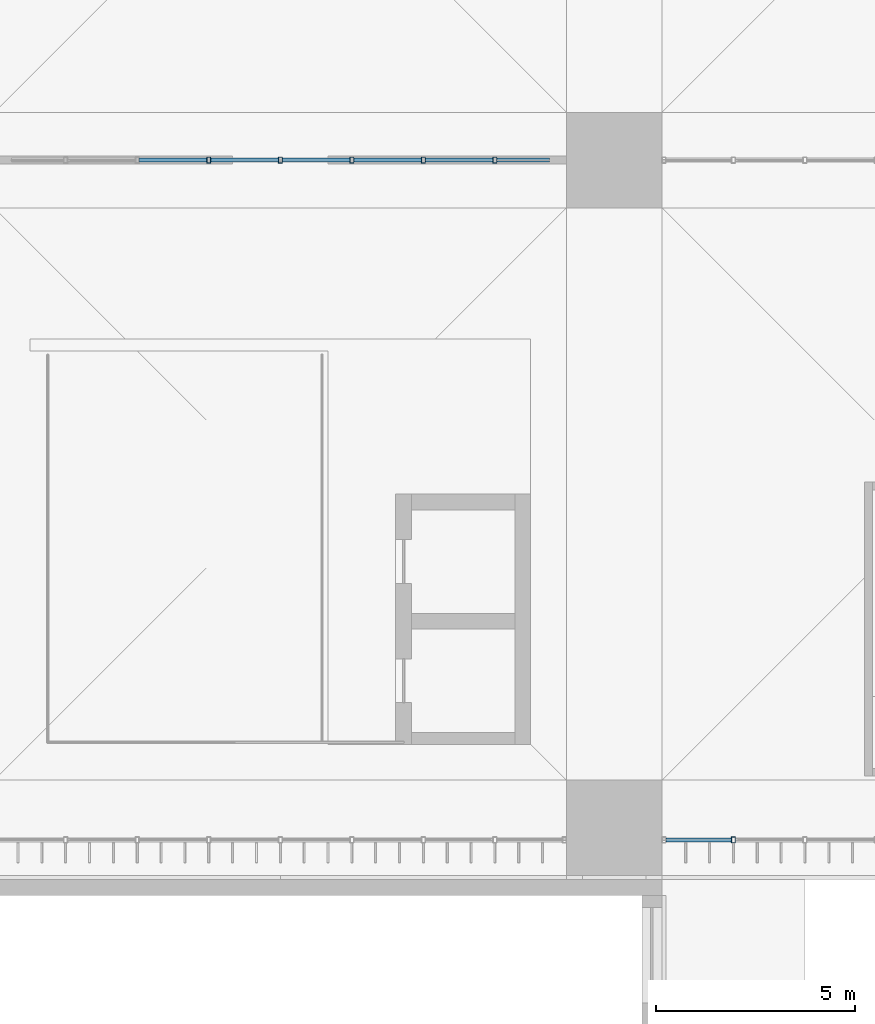
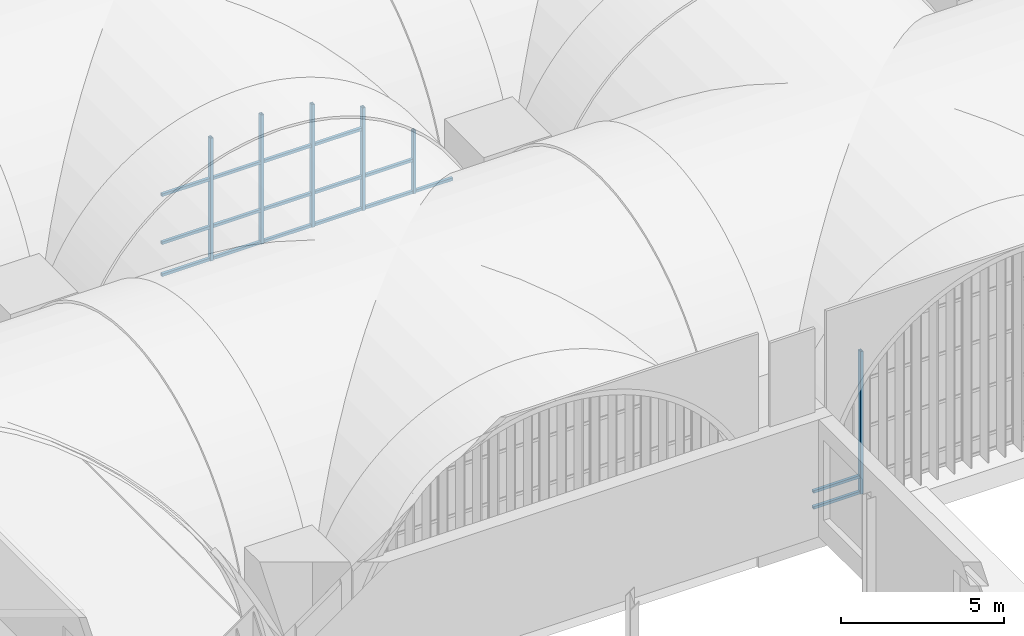
# One storey, part 34 of 169: 23 members, 2 elements without a shape of their own.
"""IFC4 building model written with IfcOpenShell, lengths in metres."""

from ifc_helpers import new_model, si_unit, direction, frame, origin, origin_2d, place, context, subcontext, project, spatial, hollow_rectangle, extrude, material, layer, layer_set, material_profile, profile_set, type_object, element, aggregate, save


model = new_model("IFC4")

# Units and contexts
model_context = context("Model", 3, precision=1e-05, world=origin(), true_north=direction((0.0, 1.0)))
body_context = subcontext(model_context, "Body", "Model", "MODEL_VIEW")
ifc_project = project(units=[si_unit("LENGTHUNIT", "METRE"), si_unit("AREAUNIT", "SQUARE_METRE"), si_unit("VOLUMEUNIT", "CUBIC_METRE"), si_unit("PLANEANGLEUNIT", "RADIAN"), si_unit("MASSUNIT", "GRAM", prefix="KILO")], contexts=[model_context])

# Site, building, storey
site_placement = place(None, origin())
site = spatial("IfcSite", under=ifc_project, at=site_placement, CompositionType="ELEMENT")
building_placement = place(site_placement, origin())
building = spatial("IfcBuilding", under=site, at=building_placement, Name="Verrick Yard Athletic Hall", CompositionType="ELEMENT")
storey_placement = place(building_placement, frame((0.0, 0.0, 4.39990234375)))
storey = spatial("IfcBuildingStorey", under=building, at=storey_placement, Name="L01", CompositionType="ELEMENT", Elevation=4.39990234375)

# Curtain wall, member
ifc_material_1 = material(Name="Aluminium and glass curtain wall", Category="aluminium")
ifc_layer_1 = layer(ifc_material_1, 0.14990234375)
ifc_layer_set_1 = layer_set([ifc_layer_1], Name="Arcade glazing arch")
curtain_wall_type_1 = type_object("IfcCurtainWallType", Name="Arcade glazing arch", PredefinedType="NOTDEFINED", material=ifc_layer_set_1)
curtain_wall_1_placement = place(storey_placement, origin())
curtain_wall_1 = element("IfcCurtainWall", 1, at=curtain_wall_1_placement, inside=storey, type_object=curtain_wall_type_1, Name="Arcade glazing S5", PredefinedType="NOTDEFINED")
ifc_material_2 = material(Name="Structural steel HSS Class C 350W (CSA G40.20/G40.21)", Category="steel")
ifc_material_profile_1 = material_profile(ifc_material_2, hollow_rectangle(XDim=0.1015625, YDim=0.15234375, WallThickness=0.008056640625, at=origin_2d()), Name="HSS152x102x7.9")
ifc_profile_set_1 = profile_set([ifc_material_profile_1], Name="Structural steel HSS Class C 350W (CSA G40.20/G40.21)")
member_type_1 = type_object("IfcMemberType", Name="Curtain wall mullion HSS152x102x7.9", PredefinedType="MULLION", material=ifc_profile_set_1)
member_1_placement = place(storey_placement, frame((110.199951171875, 18.89990234375, 0.0), z_axis=(0.0, 0.0, 1.0), x_axis=(1.0, 0.0, 0.0)))
member_1 = element("IfcMember", 2, at=member_1_placement, type_object=member_type_1, Name="Arcade glazing S5 mullion 2", PredefinedType="MULLION", context=body_context, shape_type="SweptSolid", body=[
    extrude(hollow_rectangle(XDim=0.1015625, YDim=0.15234375, WallThickness=0.008056640625, at=origin_2d()), origin(), (0.0, 0.0, 1.0), 5.351806640625),
])

# Curtain wall, members
ifc_layer_2 = layer(ifc_material_1, 0.14990234375)
ifc_layer_set_2 = layer_set([ifc_layer_2], Name="Concourse door screen arch")
curtain_wall_type_2 = type_object("IfcCurtainWallType", Name="Concourse door screen arch", PredefinedType="NOTDEFINED", material=ifc_layer_set_2)
curtain_wall_2_placement = place(storey_placement, origin())
curtain_wall_2 = element("IfcCurtainWall", 3, at=curtain_wall_2_placement, inside=storey, type_object=curtain_wall_type_2, Name="Concourse screen 4", PredefinedType="NOTDEFINED")
member_2_placement = place(storey_placement, frame((97.0, 36.0, 3.0), z_axis=(0.0, 0.0, 1.0), x_axis=(1.0, 0.0, 0.0)))
member_2 = element("IfcMember", 4, at=member_2_placement, type_object=member_type_1, Name="Concourse screen 4 mullion 3", PredefinedType="MULLION", context=body_context, shape_type="SweptSolid", body=[
    extrude(hollow_rectangle(XDim=0.1015625, YDim=0.15234375, WallThickness=0.008056640625, at=origin_2d()), origin(), (0.0, 0.0, 1.0), 4.607666015625),
])
member_3_placement = place(storey_placement, frame((98.800048828125, 36.0, 3.0), z_axis=(0.0, 0.0, 1.0), x_axis=(1.0, 0.0, 0.0)))
member_3 = element("IfcMember", 5, at=member_3_placement, type_object=member_type_1, Name="Concourse screen 4 mullion 4", PredefinedType="MULLION", context=body_context, shape_type="SweptSolid", body=[
    extrude(hollow_rectangle(XDim=0.1015625, YDim=0.15234375, WallThickness=0.008056640625, at=origin_2d()), origin(), (0.0, 0.0, 1.0), 4.8486328125),
])
member_4_placement = place(storey_placement, frame((100.60009765625, 36.0, 3.0), z_axis=(0.0, 0.0, 1.0), x_axis=(1.0, 0.0, 0.0)))
member_4 = element("IfcMember", 6, at=member_4_placement, type_object=member_type_1, Name="Concourse screen 4 mullion 5", PredefinedType="MULLION", context=body_context, shape_type="SweptSolid", body=[
    extrude(hollow_rectangle(XDim=0.1015625, YDim=0.15234375, WallThickness=0.008056640625, at=origin_2d()), origin(), (0.0, 0.0, 1.0), 4.607666015625),
])
member_5_placement = place(storey_placement, frame((102.39990234375, 36.0, 3.0), z_axis=(0.0, 0.0, 1.0), x_axis=(1.0, 0.0, 0.0)))
member_5 = element("IfcMember", 7, at=member_5_placement, type_object=member_type_1, Name="Concourse screen 4 mullion 6", PredefinedType="MULLION", context=body_context, shape_type="SweptSolid", body=[
    extrude(hollow_rectangle(XDim=0.1015625, YDim=0.15234375, WallThickness=0.008056640625, at=origin_2d()), origin(), (0.0, 0.0, 1.0), 3.8544921875),
])
member_6_placement = place(storey_placement, frame((104.199951171875, 36.0, 3.0), z_axis=(0.0, 0.0, 1.0), x_axis=(1.0, 0.0, 0.0)))
member_6 = element("IfcMember", 8, at=member_6_placement, type_object=member_type_1, Name="Concourse screen 4 mullion 7", PredefinedType="MULLION", context=body_context, shape_type="SweptSolid", body=[
    extrude(hollow_rectangle(XDim=0.1015625, YDim=0.15234375, WallThickness=0.008056640625, at=origin_2d()), origin(), (0.0, 0.0, 1.0), 2.351806640625),
])

# Member
ifc_material_profile_2 = material_profile(ifc_material_2, hollow_rectangle(XDim=0.1015625, YDim=0.1015625, WallThickness=0.00634765625, at=origin_2d()), Name="HSS102x102x6.4")
ifc_profile_set_2 = profile_set([ifc_material_profile_2], Name="Structural steel HSS Class C 350W (CSA G40.20/G40.21)")
member_type_2 = type_object("IfcMemberType", Name="Curtain wall transom HSS102x102x6.4", PredefinedType="USERDEFINED", material=ifc_profile_set_2)
member_7_placement = place(storey_placement, frame((108.502197265625, 18.89990234375, 0.05078125), z_axis=(1.0, 0.0, 0.0), x_axis=(0.0, 1.0, 0.0)))
member_7 = element("IfcMember", 9, at=member_7_placement, type_object=member_type_2, Name="Arcade glazing S5 transom 1", ObjectType="TRANSOM", PredefinedType="USERDEFINED", context=body_context, shape_type="SweptSolid", body=[
    extrude(hollow_rectangle(XDim=0.1015625, YDim=0.1015625, WallThickness=0.00634765625, at=origin_2d()), origin(), (0.0, 0.0, 1.0), 1.64697265625),
])

member_8_placement = place(storey_placement, frame((108.502197265625, 18.89990234375, 0.650146484375), z_axis=(1.0, 0.0, 0.0), x_axis=(0.0, 1.0, 0.0)))
member_8 = element("IfcMember", 10, at=member_8_placement, type_object=member_type_2, Name="Arcade glazing S5 transom 2", ObjectType="TRANSOM", PredefinedType="USERDEFINED", context=body_context, shape_type="SweptSolid", body=[
    extrude(hollow_rectangle(XDim=0.1015625, YDim=0.1015625, WallThickness=0.00634765625, at=origin_2d()), origin(), (0.0, 0.0, 1.0), 1.64697265625),
])

aggregate(curtain_wall_1, [member_1, member_7, member_8])

member_9_placement = place(storey_placement, frame((95.250732421875, 36.0, 3.05078125), z_axis=(1.0, 0.0, 0.0), x_axis=(0.0, 1.0, 0.0)))
member_9 = element("IfcMember", 11, at=member_9_placement, type_object=member_type_2, Name="Concourse screen 4 transom 4", ObjectType="TRANSOM", PredefinedType="USERDEFINED", context=body_context, shape_type="SweptSolid", body=[
    extrude(hollow_rectangle(XDim=0.1015625, YDim=0.1015625, WallThickness=0.00634765625, at=origin_2d()), origin(), (0.0, 0.0, 1.0), 1.698486328125),
])

member_10_placement = place(storey_placement, frame((95.250732421875, 36.0, 4.25), z_axis=(1.0, 0.0, 0.0), x_axis=(0.0, 1.0, 0.0)))
member_10 = element("IfcMember", 12, at=member_10_placement, type_object=member_type_2, Name="Concourse screen 4 transom 5", ObjectType="TRANSOM", PredefinedType="USERDEFINED", context=body_context, shape_type="SweptSolid", body=[
    extrude(hollow_rectangle(XDim=0.1015625, YDim=0.1015625, WallThickness=0.00634765625, at=origin_2d()), origin(), (0.0, 0.0, 1.0), 1.698486328125),
])

member_11_placement = place(storey_placement, frame((95.250732421875, 36.0, 6.050048828125), z_axis=(1.0, 0.0, 0.0), x_axis=(0.0, 1.0, 0.0)))
member_11 = element("IfcMember", 13, at=member_11_placement, type_object=member_type_2, Name="Concourse screen 4 transom 6", ObjectType="TRANSOM", PredefinedType="USERDEFINED", context=body_context, shape_type="SweptSolid", body=[
    extrude(hollow_rectangle(XDim=0.1015625, YDim=0.1015625, WallThickness=0.00634765625, at=origin_2d()), origin(), (0.0, 0.0, 1.0), 1.698486328125),
])

member_12_placement = place(storey_placement, frame((97.05078125, 36.0, 3.05078125), z_axis=(1.0, 0.0, 0.0), x_axis=(0.0, 1.0, 0.0)))
member_12 = element("IfcMember", 14, at=member_12_placement, type_object=member_type_2, Name="Concourse screen 4 transom 7", ObjectType="TRANSOM", PredefinedType="USERDEFINED", context=body_context, shape_type="SweptSolid", body=[
    extrude(hollow_rectangle(XDim=0.1015625, YDim=0.1015625, WallThickness=0.00634765625, at=origin_2d()), origin(), (0.0, 0.0, 1.0), 1.698486328125),
])

member_13_placement = place(storey_placement, frame((97.05078125, 36.0, 4.25), z_axis=(1.0, 0.0, 0.0), x_axis=(0.0, 1.0, 0.0)))
member_13 = element("IfcMember", 15, at=member_13_placement, type_object=member_type_2, Name="Concourse screen 4 transom 8", ObjectType="TRANSOM", PredefinedType="USERDEFINED", context=body_context, shape_type="SweptSolid", body=[
    extrude(hollow_rectangle(XDim=0.1015625, YDim=0.1015625, WallThickness=0.00634765625, at=origin_2d()), origin(), (0.0, 0.0, 1.0), 1.698486328125),
])

member_14_placement = place(storey_placement, frame((97.05078125, 36.0, 6.050048828125), z_axis=(1.0, 0.0, 0.0), x_axis=(0.0, 1.0, 0.0)))
member_14 = element("IfcMember", 16, at=member_14_placement, type_object=member_type_2, Name="Concourse screen 4 transom 9", ObjectType="TRANSOM", PredefinedType="USERDEFINED", context=body_context, shape_type="SweptSolid", body=[
    extrude(hollow_rectangle(XDim=0.1015625, YDim=0.1015625, WallThickness=0.00634765625, at=origin_2d()), origin(), (0.0, 0.0, 1.0), 1.698486328125),
])

member_15_placement = place(storey_placement, frame((98.850830078125, 36.0, 3.05078125), z_axis=(1.0, 0.0, 0.0), x_axis=(0.0, 1.0, 0.0)))
member_15 = element("IfcMember", 17, at=member_15_placement, type_object=member_type_2, Name="Concourse screen 4 transom 10", ObjectType="TRANSOM", PredefinedType="USERDEFINED", context=body_context, shape_type="SweptSolid", body=[
    extrude(hollow_rectangle(XDim=0.1015625, YDim=0.1015625, WallThickness=0.00634765625, at=origin_2d()), origin(), (0.0, 0.0, 1.0), 1.698486328125),
])

member_16_placement = place(storey_placement, frame((98.850830078125, 36.0, 4.25), z_axis=(1.0, 0.0, 0.0), x_axis=(0.0, 1.0, 0.0)))
member_16 = element("IfcMember", 18, at=member_16_placement, type_object=member_type_2, Name="Concourse screen 4 transom 11", ObjectType="TRANSOM", PredefinedType="USERDEFINED", context=body_context, shape_type="SweptSolid", body=[
    extrude(hollow_rectangle(XDim=0.1015625, YDim=0.1015625, WallThickness=0.00634765625, at=origin_2d()), origin(), (0.0, 0.0, 1.0), 1.698486328125),
])

member_17_placement = place(storey_placement, frame((98.850830078125, 36.0, 6.050048828125), z_axis=(1.0, 0.0, 0.0), x_axis=(0.0, 1.0, 0.0)))
member_17 = element("IfcMember", 19, at=member_17_placement, type_object=member_type_2, Name="Concourse screen 4 transom 12", ObjectType="TRANSOM", PredefinedType="USERDEFINED", context=body_context, shape_type="SweptSolid", body=[
    extrude(hollow_rectangle(XDim=0.1015625, YDim=0.1015625, WallThickness=0.00634765625, at=origin_2d()), origin(), (0.0, 0.0, 1.0), 1.698486328125),
])

member_18_placement = place(storey_placement, frame((100.65087890625, 36.0, 3.05078125), z_axis=(1.0, 0.0, 0.0), x_axis=(0.0, 1.0, 0.0)))
member_18 = element("IfcMember", 20, at=member_18_placement, type_object=member_type_2, Name="Concourse screen 4 transom 13", ObjectType="TRANSOM", PredefinedType="USERDEFINED", context=body_context, shape_type="SweptSolid", body=[
    extrude(hollow_rectangle(XDim=0.1015625, YDim=0.1015625, WallThickness=0.00634765625, at=origin_2d()), origin(), (0.0, 0.0, 1.0), 1.6982421875),
])

member_19_placement = place(storey_placement, frame((100.65087890625, 36.0, 4.25), z_axis=(1.0, 0.0, 0.0), x_axis=(0.0, 1.0, 0.0)))
member_19 = element("IfcMember", 21, at=member_19_placement, type_object=member_type_2, Name="Concourse screen 4 transom 14", ObjectType="TRANSOM", PredefinedType="USERDEFINED", context=body_context, shape_type="SweptSolid", body=[
    extrude(hollow_rectangle(XDim=0.1015625, YDim=0.1015625, WallThickness=0.00634765625, at=origin_2d()), origin(), (0.0, 0.0, 1.0), 1.6982421875),
])

member_20_placement = place(storey_placement, frame((100.65087890625, 36.0, 6.050048828125), z_axis=(1.0, 0.0, 0.0), x_axis=(0.0, 1.0, 0.0)))
member_20 = element("IfcMember", 22, at=member_20_placement, type_object=member_type_2, Name="Concourse screen 4 transom 15", ObjectType="TRANSOM", PredefinedType="USERDEFINED", context=body_context, shape_type="SweptSolid", body=[
    extrude(hollow_rectangle(XDim=0.1015625, YDim=0.1015625, WallThickness=0.00634765625, at=origin_2d()), origin(), (0.0, 0.0, 1.0), 1.6982421875),
])

member_21_placement = place(storey_placement, frame((102.45068359375, 36.0, 3.05078125), z_axis=(1.0, 0.0, 0.0), x_axis=(0.0, 1.0, 0.0)))
member_21 = element("IfcMember", 23, at=member_21_placement, type_object=member_type_2, Name="Concourse screen 4 transom 16", ObjectType="TRANSOM", PredefinedType="USERDEFINED", context=body_context, shape_type="SweptSolid", body=[
    extrude(hollow_rectangle(XDim=0.1015625, YDim=0.1015625, WallThickness=0.00634765625, at=origin_2d()), origin(), (0.0, 0.0, 1.0), 1.698486328125),
])

member_22_placement = place(storey_placement, frame((102.45068359375, 36.0, 4.25), z_axis=(1.0, 0.0, 0.0), x_axis=(0.0, 1.0, 0.0)))
member_22 = element("IfcMember", 24, at=member_22_placement, type_object=member_type_2, Name="Concourse screen 4 transom 17", ObjectType="TRANSOM", PredefinedType="USERDEFINED", context=body_context, shape_type="SweptSolid", body=[
    extrude(hollow_rectangle(XDim=0.1015625, YDim=0.1015625, WallThickness=0.00634765625, at=origin_2d()), origin(), (0.0, 0.0, 1.0), 1.698486328125),
])

member_23_placement = place(storey_placement, frame((104.250732421875, 36.0, 3.05078125), z_axis=(1.0, 0.0, 0.0), x_axis=(0.0, 1.0, 0.0)))
member_23 = element("IfcMember", 25, at=member_23_placement, type_object=member_type_2, Name="Concourse screen 4 transom 18", ObjectType="TRANSOM", PredefinedType="USERDEFINED", context=body_context, shape_type="SweptSolid", body=[
    extrude(hollow_rectangle(XDim=0.1015625, YDim=0.1015625, WallThickness=0.00634765625, at=origin_2d()), origin(), (0.0, 0.0, 1.0), 1.31689453125),
])

aggregate(curtain_wall_2, [member_2, member_3, member_4, member_5, member_6, member_9, member_10, member_11, member_12, member_13, member_14, member_15, member_16, member_17, member_18, member_19, member_20, member_21, member_22, member_23])

save(model, "model.ifc")
